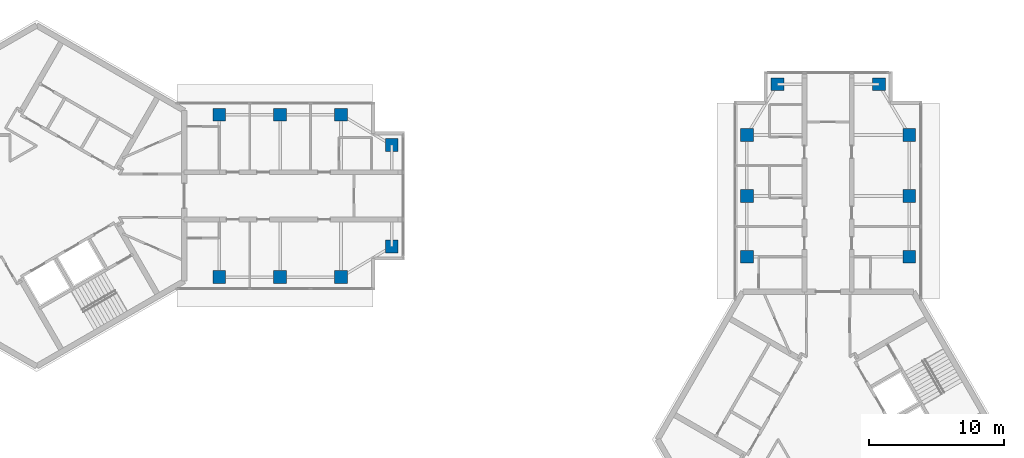
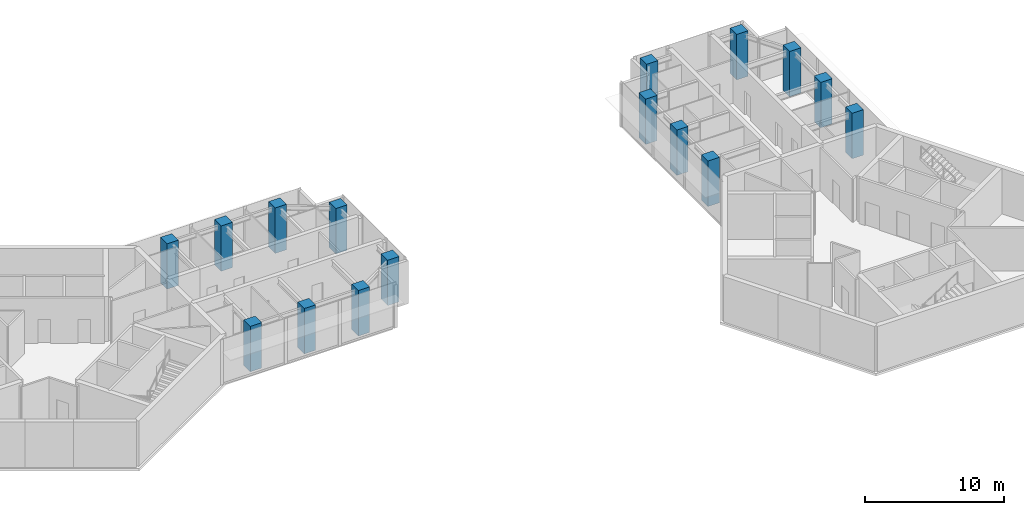
# One storey, part 1 of 11: 16 columns.
"""IFC4 building model written with IfcOpenShell, lengths in metres."""

from ifc_helpers import new_model, si_unit, direction, frame, origin, origin_2d, place, context, subcontext, project, spatial, rectangle, extrude, material, material_profile, profile_set, type_object, element, save


model = new_model("IFC4")

# Units and contexts
model_context = context("Model", 3, precision=1e-05, world=origin(), true_north=direction((0.0, 1.0)))
body_context = subcontext(model_context, "Body", "Model", "MODEL_VIEW")
ifc_project = project(units=[si_unit("LENGTHUNIT", "METRE"), si_unit("AREAUNIT", "SQUARE_METRE"), si_unit("VOLUMEUNIT", "CUBIC_METRE"), si_unit("PLANEANGLEUNIT", "RADIAN"), si_unit("MASSUNIT", "GRAM", prefix="KILO")], contexts=[model_context])

# Site, building, storey
site_placement = place(None, origin())
site = spatial("IfcSite", under=ifc_project, at=site_placement, CompositionType="ELEMENT")
building_placement = place(site_placement, origin())
building = spatial("IfcBuilding", under=site, at=building_placement, Name="Upepo Twin Towers", CompositionType="ELEMENT")
storey_placement = place(building_placement, frame((0.0, 0.0, 275.5)))
storey = spatial("IfcBuildingStorey", under=building, at=storey_placement, Name="L67", CompositionType="ELEMENT", Elevation=275.5)

# Columns
ifc_material = material(Name="Concrete C60/75", Category="concrete")
ifc_material_profile = material_profile(ifc_material, rectangle(XDim=0.949951171875, YDim=0.949951171875, at=origin_2d()), Name="RC 950x950")
ifc_profile_set = profile_set([ifc_material_profile], Name="Concrete C60/75")
column_type = type_object("IfcColumnType", Name="Tower column RC 950x950", PredefinedType="COLUMN", material=ifc_profile_set)
for number, where, z_axis, x_axis, name in (
    (1, (13.5, 6.0, 0.0), (0.0, 0.0, 1.0), (1.0, 0.0, 0.0), "T1 column AL135"),
    (2, (13.5, -6.0, 0.0), (0.0, 0.0, 1.0), (1.0, 0.0, 0.0), "T1 column AR135"),
    (3, (18.0, 6.0, 0.0), (0.0, 0.0, 1.0), (1.0, 0.0, 0.0), "T1 column AL180"),
    (4, (18.0, -6.0, 0.0), (0.0, 0.0, 1.0), (1.0, 0.0, 0.0), "T1 column AR180"),
    (5, (22.5, 6.0, 0.0), (0.0, 0.0, 1.0), (1.0, 0.0, 0.0), "T1 column AL225"),
    (6, (22.5, -6.0, 0.0), (0.0, 0.0, 1.0), (1.0, 0.0, 0.0), "T1 column AR225"),
    (7, (26.25, 3.75, 0.0), (0.0, 0.0, 1.0), (1.0, 0.0, 0.0), "T1 column ALN"),
    (8, (26.25, -3.75, 0.0), (0.0, 0.0, 1.0), (1.0, 0.0, 0.0), "T1 column ARN"),
    (9, (52.5, -4.5, 0.0), (0.0, 0.0, 1.0), (1.0, 0.0, 0.0), "T2 column AL135"),
    (10, (64.5, -4.5, 0.0), (0.0, 0.0, 1.0), (1.0, 0.0, 0.0), "T2 column AR135"),
    (11, (52.5, 0.0, 0.0), (0.0, 0.0, 1.0), (1.0, 0.0, 0.0), "T2 column AL180"),
    (12, (64.5, 0.0, 0.0), (0.0, 0.0, 1.0), (1.0, 0.0, 0.0), "T2 column AR180"),
    (13, (52.5, 4.5, 0.0), (0.0, 0.0, 1.0), (1.0, 0.0, 0.0), "T2 column AL225"),
    (14, (64.5, 4.5, 0.0), (0.0, 0.0, 1.0), (1.0, 0.0, 0.0), "T2 column AR225"),
    (15, (54.75, 8.25, 0.0), (0.0, 0.0, 1.0), (1.0, 0.0, 0.0), "T2 column ALN"),
    (16, (62.25, 8.25, 0.0), (0.0, 0.0, 1.0), (1.0, 0.0, 0.0), "T2 column ARN"),
):
    element("IfcColumn", number, at=place(storey_placement, frame(where, z_axis=z_axis, x_axis=x_axis)), inside=storey, type_object=column_type, Name=name, PredefinedType="COLUMN", context=body_context, shape_type="SweptSolid", body=[
        extrude(rectangle(XDim=0.949951171875, YDim=0.949951171875, at=origin_2d()), origin(), (0.0, 0.0, 1.0), 4.0),
    ])

save(model, "model.ifc")
